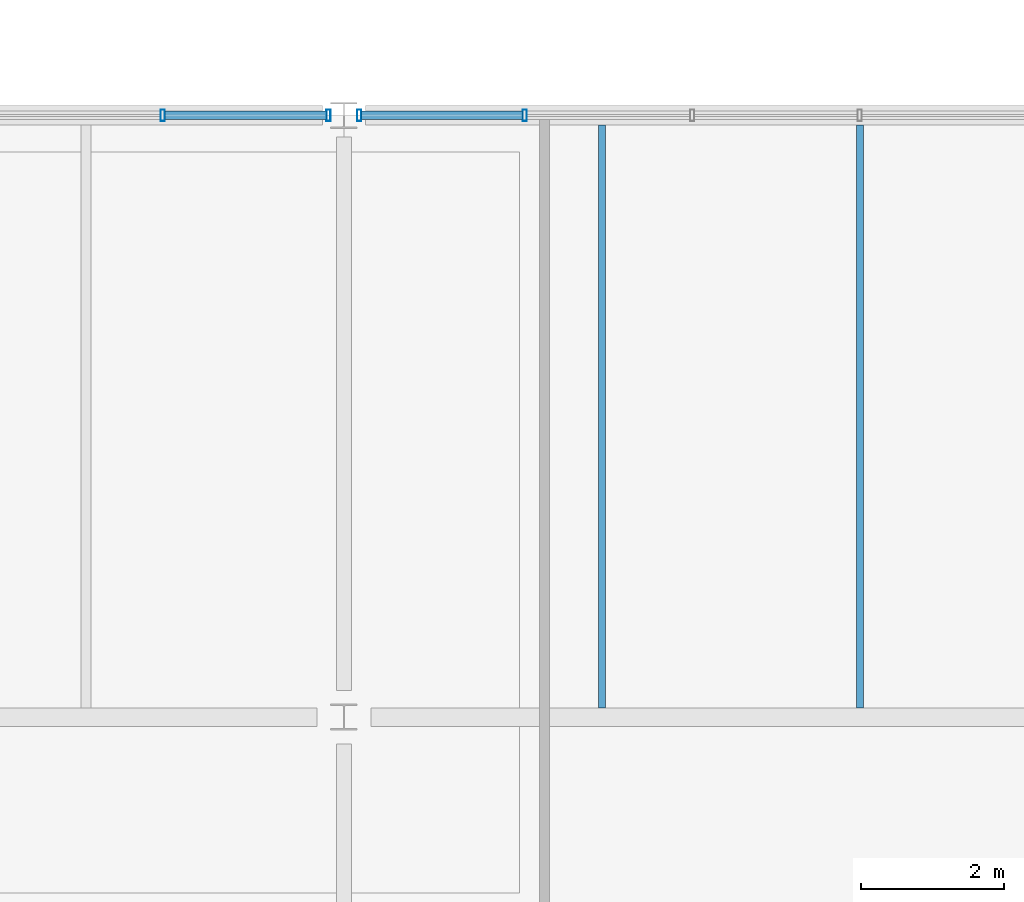
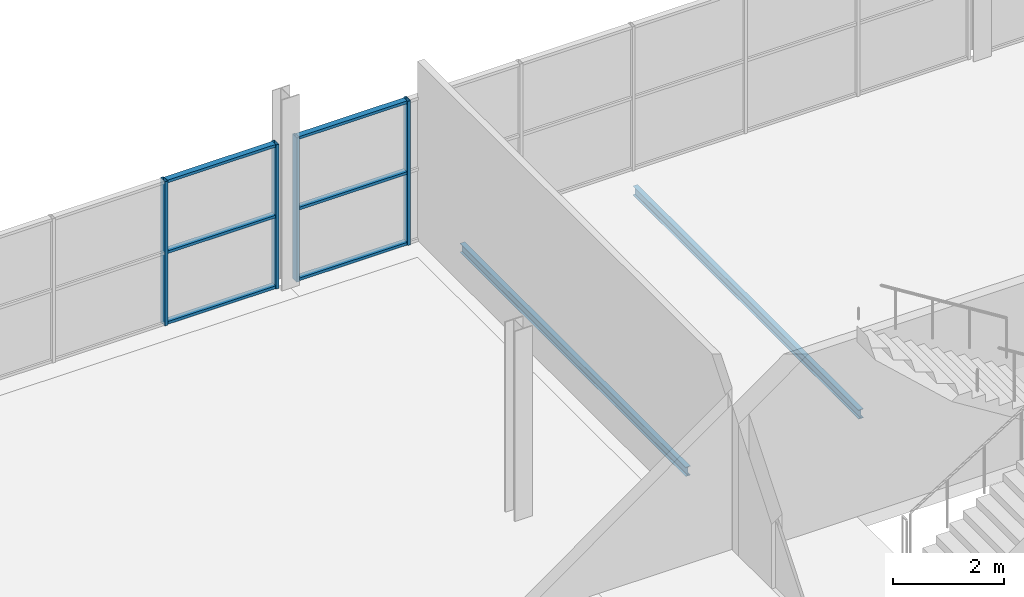
# One storey, part 76 of 161: 10 members, 2 beams, 2 elements without a shape of their own.
"""IFC4 building model written with IfcOpenShell, lengths in metres."""

from ifc_helpers import new_model, si_unit, direction, frame, origin, origin_2d, place, context, subcontext, project, spatial, hollow_rectangle, i_section, extrude, material, material_profile, profile_set, type_object, element, aggregate, save


model = new_model("IFC4")

# Units and contexts
model_context = context("Model", 3, precision=1e-05, world=origin(), true_north=direction((0.0, 1.0)))
body_context = subcontext(model_context, "Body", "Model", "MODEL_VIEW")
ifc_project = project(units=[si_unit("LENGTHUNIT", "METRE"), si_unit("AREAUNIT", "SQUARE_METRE"), si_unit("VOLUMEUNIT", "CUBIC_METRE"), si_unit("PLANEANGLEUNIT", "RADIAN"), si_unit("MASSUNIT", "GRAM", prefix="KILO"), si_unit("THERMODYNAMICTEMPERATUREUNIT", "KELVIN")], contexts=[model_context])

# Site, building, storey
site_placement = place(None, origin())
site = spatial("IfcSite", under=ifc_project, at=site_placement, CompositionType="ELEMENT")
building_placement = place(site_placement, origin())
building = spatial("IfcBuilding", under=site, at=building_placement, Name="Nduvali Passage Aquatics Centre", CompositionType="ELEMENT")
storey_placement = place(building_placement, frame((0.0, 0.0, 4.800048828125)))
storey = spatial("IfcBuildingStorey", under=building, at=storey_placement, Name="L01", CompositionType="ELEMENT", Elevation=4.800048828125)

# Curtain wall, members
ifc_material_1 = material(Name="Aluminium EN AW-6063 T6", Category="aluminium")
curtain_wall_type = type_object("IfcCurtainWallType", Name="ENV-CW-WELL", PredefinedType="NOTDEFINED", material=ifc_material_1)
curtain_wall_1_placement = place(storey_placement, origin())
curtain_wall_1 = element("IfcCurtainWall", 1, at=curtain_wall_1_placement, inside=storey, type_object=curtain_wall_type, Name="L01 North Avenue Fitness CW 100", PredefinedType="NOTDEFINED")
ifc_material_profile_1 = material_profile(ifc_material_1, hollow_rectangle(XDim=0.06005859375, YDim=0.159912109375, WallThickness=0.00390625, at=origin_2d()), Name="ALU MULLION 60x160x4")
ifc_profile_set_1 = profile_set([ifc_material_profile_1], Name="Aluminium EN AW-6063 T6")
member_type_1 = type_object("IfcMemberType", Name="ENV-MEM-MUL60", PredefinedType="MULLION", material=ifc_profile_set_1)
member_1_placement = place(storey_placement, frame((65.871337890625, 117.60009765625, 0.0), z_axis=(0.0, 0.0, 1.0), x_axis=(1.0, 0.0, 0.0)))
member_1 = element("IfcMember", 2, at=member_1_placement, type_object=member_type_1, Name="North Avenue Fitness CW Mullion 6", PredefinedType="MULLION", context=body_context, shape_type="SweptSolid", body=[
    extrude(hollow_rectangle(XDim=0.06005859375, YDim=0.159912109375, WallThickness=0.00390625, at=origin_2d()), origin(), (0.0, 0.0, 1.0), 3.173828125),
])
member_2_placement = place(storey_placement, frame((68.184814453125, 117.60009765625, 0.0), z_axis=(0.0, 0.0, 1.0), x_axis=(1.0, 0.0, 0.0)))
member_2 = element("IfcMember", 3, at=member_2_placement, type_object=member_type_1, Name="North Avenue Fitness CW Mullion 7", PredefinedType="MULLION", context=body_context, shape_type="SweptSolid", body=[
    extrude(hollow_rectangle(XDim=0.06005859375, YDim=0.159912109375, WallThickness=0.00390625, at=origin_2d()), origin(), (0.0, 0.0, 1.0), 3.173828125),
])

curtain_wall_2_placement = place(storey_placement, origin())
curtain_wall_2 = element("IfcCurtainWall", 4, at=curtain_wall_2_placement, inside=storey, type_object=curtain_wall_type, Name="L01 North Avenue Fitness CW 103", PredefinedType="NOTDEFINED")
member_3_placement = place(storey_placement, frame((68.615234375, 117.60009765625, 0.0), z_axis=(0.0, 0.0, 1.0), x_axis=(1.0, 0.0, 0.0)))
member_3 = element("IfcMember", 5, at=member_3_placement, type_object=member_type_1, Name="North Avenue Fitness CW Mullion 1", PredefinedType="MULLION", context=body_context, shape_type="SweptSolid", body=[
    extrude(hollow_rectangle(XDim=0.06005859375, YDim=0.159912109375, WallThickness=0.00390625, at=origin_2d()), origin(), (0.0, 0.0, 1.0), 3.173828125),
])
member_4_placement = place(storey_placement, frame((70.923583984375, 117.60009765625, 0.0), z_axis=(0.0, 0.0, 1.0), x_axis=(1.0, 0.0, 0.0)))
member_4 = element("IfcMember", 6, at=member_4_placement, type_object=member_type_1, Name="North Avenue Fitness CW Mullion 2", PredefinedType="MULLION", context=body_context, shape_type="SweptSolid", body=[
    extrude(hollow_rectangle(XDim=0.06005859375, YDim=0.159912109375, WallThickness=0.00390625, at=origin_2d()), origin(), (0.0, 0.0, 1.0), 3.173828125),
])

# Member
ifc_material_profile_2 = material_profile(ifc_material_1, hollow_rectangle(XDim=0.1201171875, YDim=0.06005859375, WallThickness=0.00390625, at=origin_2d()), Name="ALU TRANSOM 120x60x4")
ifc_profile_set_2 = profile_set([ifc_material_profile_2], Name="Aluminium EN AW-6063 T6")
member_type_2 = type_object("IfcMemberType", Name="ENV-MEM-TRN60", PredefinedType="USERDEFINED", material=ifc_profile_set_2)
member_5_placement = place(storey_placement, frame((65.9013671875, 117.60009765625, 0.030029296875), z_axis=(1.0, 0.0, 0.0), x_axis=(0.0, 1.0, 0.0)))
member_5 = element("IfcMember", 7, at=member_5_placement, type_object=member_type_2, Name="North Avenue Fitness CW Transom B6-R0", ObjectType="TRANSOM", PredefinedType="USERDEFINED", context=body_context, shape_type="SweptSolid", body=[
    extrude(hollow_rectangle(XDim=0.1201171875, YDim=0.06005859375, WallThickness=0.00390625, at=origin_2d()), origin(), (0.0, 0.0, 1.0), 2.25341796875),
])

member_6_placement = place(storey_placement, frame((65.9013671875, 117.60009765625, 1.5869140625), z_axis=(1.0, 0.0, 0.0), x_axis=(0.0, 1.0, 0.0)))
member_6 = element("IfcMember", 8, at=member_6_placement, type_object=member_type_2, Name="North Avenue Fitness CW Transom B6-R1", ObjectType="TRANSOM", PredefinedType="USERDEFINED", context=body_context, shape_type="SweptSolid", body=[
    extrude(hollow_rectangle(XDim=0.1201171875, YDim=0.06005859375, WallThickness=0.00390625, at=origin_2d()), origin(), (0.0, 0.0, 1.0), 2.25341796875),
])

member_7_placement = place(storey_placement, frame((65.9013671875, 117.60009765625, 3.143798828125), z_axis=(1.0, 0.0, 0.0), x_axis=(0.0, 1.0, 0.0)))
member_7 = element("IfcMember", 9, at=member_7_placement, type_object=member_type_2, Name="North Avenue Fitness CW Transom B6-R2", ObjectType="TRANSOM", PredefinedType="USERDEFINED", context=body_context, shape_type="SweptSolid", body=[
    extrude(hollow_rectangle(XDim=0.1201171875, YDim=0.06005859375, WallThickness=0.00390625, at=origin_2d()), origin(), (0.0, 0.0, 1.0), 2.25341796875),
])

aggregate(curtain_wall_1, [member_1, member_2, member_5, member_6, member_7])

member_8_placement = place(storey_placement, frame((68.645263671875, 117.60009765625, 0.030029296875), z_axis=(1.0, 0.0, 0.0), x_axis=(0.0, 1.0, 0.0)))
member_8 = element("IfcMember", 10, at=member_8_placement, type_object=member_type_2, Name="North Avenue Fitness CW Transom B1-R0", ObjectType="TRANSOM", PredefinedType="USERDEFINED", context=body_context, shape_type="SweptSolid", body=[
    extrude(hollow_rectangle(XDim=0.1201171875, YDim=0.06005859375, WallThickness=0.00390625, at=origin_2d()), origin(), (0.0, 0.0, 1.0), 2.248291015625),
])

member_9_placement = place(storey_placement, frame((68.645263671875, 117.60009765625, 1.5869140625), z_axis=(1.0, 0.0, 0.0), x_axis=(0.0, 1.0, 0.0)))
member_9 = element("IfcMember", 11, at=member_9_placement, type_object=member_type_2, Name="North Avenue Fitness CW Transom B1-R1", ObjectType="TRANSOM", PredefinedType="USERDEFINED", context=body_context, shape_type="SweptSolid", body=[
    extrude(hollow_rectangle(XDim=0.1201171875, YDim=0.06005859375, WallThickness=0.00390625, at=origin_2d()), origin(), (0.0, 0.0, 1.0), 2.248291015625),
])

member_10_placement = place(storey_placement, frame((68.645263671875, 117.60009765625, 3.143798828125), z_axis=(1.0, 0.0, 0.0), x_axis=(0.0, 1.0, 0.0)))
member_10 = element("IfcMember", 12, at=member_10_placement, type_object=member_type_2, Name="North Avenue Fitness CW Transom B1-R2", ObjectType="TRANSOM", PredefinedType="USERDEFINED", context=body_context, shape_type="SweptSolid", body=[
    extrude(hollow_rectangle(XDim=0.1201171875, YDim=0.06005859375, WallThickness=0.00390625, at=origin_2d()), origin(), (0.0, 0.0, 1.0), 2.248291015625),
])

aggregate(curtain_wall_2, [member_3, member_4, member_8, member_9, member_10])

# Beams
ifc_material_2 = material(Name="Steel S355", Category="steel")
ifc_material_profile_3 = material_profile(ifc_material_2, i_section(OverallWidth=0.10009765625, OverallDepth=0.199951171875, WebThickness=0.005615234375, FlangeThickness=0.008544921875, FilletRadius=0.011962890625, at=origin_2d()), Name="IPE 200")
ifc_profile_set_3 = profile_set([ifc_material_profile_3], Name="Steel S355")
beam_type = type_object("IfcBeamType", Name="STR-JST-IPE200", PredefinedType="JOIST", material=ifc_profile_set_3)
for number, where, z_axis, x_axis, name in (
    (13, (72.0, 109.326904296875, -0.384033203125), (0.0, 1.0, 0.0), (-1.0, 0.0, 0.0), "L01 Secondary Joist J9A-0847"),
    (14, (75.60009765625, 109.326904296875, -0.384033203125), (0.0, 1.0, 0.0), (-1.0, 0.0, 0.0), "L01 Secondary Joist J9A-0848"),
):
    element("IfcBeam", number, at=place(storey_placement, frame(where, z_axis=z_axis, x_axis=x_axis)), inside=storey, type_object=beam_type, Name=name, PredefinedType="JOIST", context=body_context, shape_type="SweptSolid", body=[
        extrude(i_section(OverallWidth=0.10009765625, OverallDepth=0.199951171875, WebThickness=0.005615234375, FlangeThickness=0.008544921875, FilletRadius=0.011962890625, at=origin_2d()), origin(), (0.0, 0.0, 1.0), 8.139892578125),
    ])

save(model, "model.ifc")
